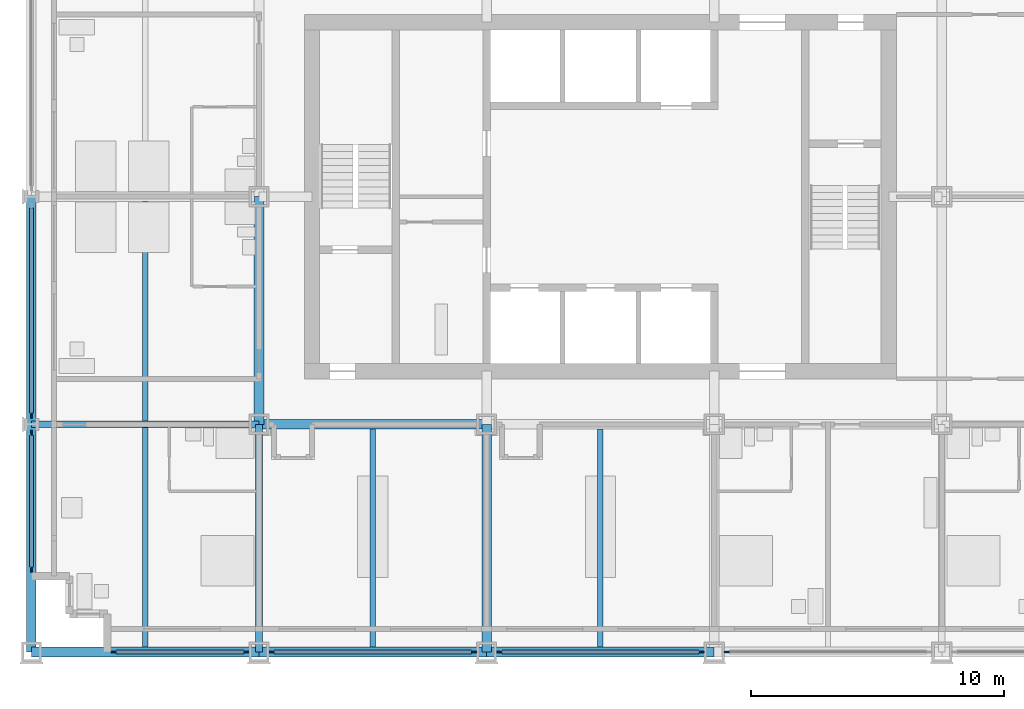
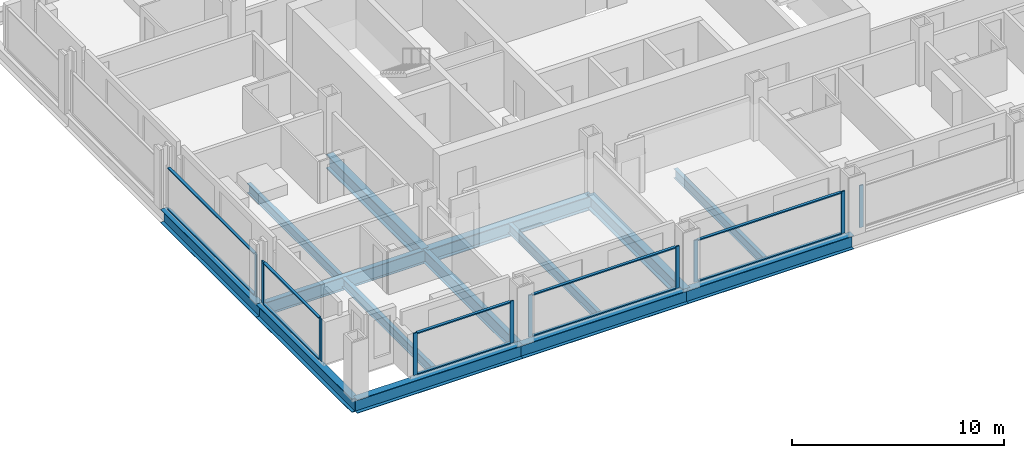
# One storey, part 2 of 18: 20 members, 14 beams, 6 elements without a shape of their own.
"""IFC4 building model written with IfcOpenShell, lengths in metres."""

from ifc_helpers import new_model, si_unit, direction, frame, origin, origin_2d, place, context, subcontext, project, spatial, rectangle, i_section, extrude, material, material_profile, profile_set, type_object, element, aggregate, save


model = new_model("IFC4")

# Units and contexts
model_context = context("Model", 3, precision=1e-05, world=origin(), true_north=direction((0.0, 1.0)))
body_context = subcontext(model_context, "Body", "Model", "MODEL_VIEW")
ifc_project = project(units=[si_unit("LENGTHUNIT", "METRE"), si_unit("AREAUNIT", "SQUARE_METRE"), si_unit("VOLUMEUNIT", "CUBIC_METRE"), si_unit("PLANEANGLEUNIT", "RADIAN"), si_unit("MASSUNIT", "GRAM", prefix="KILO")], contexts=[model_context])

# Site, building, storey
site_placement = place(None, origin())
site = spatial("IfcSite", under=ifc_project, at=site_placement, CompositionType="ELEMENT")
building_placement = place(site_placement, origin())
building = spatial("IfcBuilding", under=site, at=building_placement, Name="Loomwork Tower", CompositionType="ELEMENT")
storey_placement = place(building_placement, frame((0.0, 0.0, 28.0)))
storey = spatial("IfcBuildingStorey", under=building, at=storey_placement, Name="L05", CompositionType="ELEMENT", Elevation=28.0)

# Beams
ifc_material_1 = material(Name="Steel ASTM A992", Category="steel")
ifc_material_profile_1 = material_profile(ifc_material_1, i_section(OverallWidth=0.383544921875, OverallDepth=0.794921875, WebThickness=0.02099609375, FlangeThickness=0.0380859375, at=origin_2d()), Name="W30x235")
ifc_profile_set_1 = profile_set([ifc_material_profile_1], Name="Steel ASTM A992")
beam_type_1 = type_object("IfcBeamType", Name="CORE FLANK GIRDER W30x235", PredefinedType="BEAM", material=ifc_profile_set_1)
for number, where, z_axis, x_axis, name in (
    (1, (9.0, 9.0, -0.597412109375), (1.0, 0.0, 0.0), (0.0, 1.0, 0.0), "Core Flank Girder E/3-E/4 L05"),
    (2, (9.0, 9.0, -0.597412109375), (0.0, 1.0, 0.0), (-1.0, 0.0, 0.0), "Core Flank Girder E/3-F/3 L05"),
    (3, (18.0, 0.0, -0.597412109375), (0.0, 1.0, 0.0), (-1.0, 0.0, 0.0), "Core Flank Girder D/4-E/4 L05"),
):
    element("IfcBeam", number, at=place(storey_placement, frame(where, z_axis=z_axis, x_axis=x_axis)), inside=storey, type_object=beam_type_1, Name=name, PredefinedType="BEAM", context=body_context, shape_type="SweptSolid", body=[
        extrude(i_section(OverallWidth=0.383544921875, OverallDepth=0.794921875, WebThickness=0.02099609375, FlangeThickness=0.0380859375, at=origin_2d()), origin(), (0.0, 0.0, 1.0), 9.0),
    ])
ifc_material_2 = material(Name="Steel ASTM A992", Category="steel")
ifc_material_profile_2 = material_profile(ifc_material_2, i_section(OverallWidth=0.2666015625, OverallDepth=0.761962890625, WebThickness=0.014404296875, FlangeThickness=0.021484375, at=origin_2d()), Name="W30x116")
ifc_profile_set_2 = profile_set([ifc_material_profile_2], Name="Steel ASTM A992")
beam_type_2 = type_object("IfcBeamType", Name="FLOOR GIRDER W30x116", PredefinedType="BEAM", material=ifc_profile_set_2)
for number, where, z_axis, x_axis, name in (
    (4, (0.0, 9.0, -0.5810546875), (1.0, 0.0, 0.0), (0.0, 1.0, 0.0), "Floor Girder E/2-E/3 L05"),
    (5, (9.0, 0.0, -0.5810546875), (0.0, 1.0, 0.0), (-1.0, 0.0, 0.0), "Floor Girder D/3-E/3 L05"),
):
    element("IfcBeam", number, at=place(storey_placement, frame(where, z_axis=z_axis, x_axis=x_axis)), inside=storey, type_object=beam_type_2, Name=name, PredefinedType="BEAM", context=body_context, shape_type="SweptSolid", body=[
        extrude(i_section(OverallWidth=0.2666015625, OverallDepth=0.761962890625, WebThickness=0.014404296875, FlangeThickness=0.021484375, at=origin_2d()), origin(), (0.0, 0.0, 1.0), 9.0),
    ])
ifc_material_3 = material(Name="Steel ASTM A992", Category="steel")
ifc_material_profile_3 = material_profile(ifc_material_3, i_section(OverallWidth=0.21240234375, OverallDepth=0.54345703125, WebThickness=0.01318359375, FlangeThickness=0.021240234375, at=origin_2d()), Name="W21x83")
ifc_profile_set_3 = profile_set([ifc_material_profile_3], Name="Steel ASTM A992")
beam_type_3 = type_object("IfcBeamType", Name="FLOOR JOIST W21x83", PredefinedType="JOIST", material=ifc_profile_set_3)
beam_1_placement = place(storey_placement, frame((4.5, 0.18994140625, -0.4716796875), z_axis=(0.0, 1.0, 0.0), x_axis=(-1.0, 0.0, 0.0)))
element("IfcBeam", 6, at=beam_1_placement, inside=storey, type_object=beam_type_3, Name="Floor Joist 4.500,0.000-4.500,9.000 L05", PredefinedType="JOIST", context=body_context, shape_type="SweptSolid", body=[
    extrude(i_section(OverallWidth=0.21240234375, OverallDepth=0.54345703125, WebThickness=0.01318359375, FlangeThickness=0.021240234375, at=origin_2d()), origin(), (0.0, 0.0, 1.0), 8.677001953125),
])
beam_2_placement = place(storey_placement, frame((4.5, 9.133056640625, -0.4716796875), z_axis=(0.0, 1.0, 0.0), x_axis=(-1.0, 0.0, 0.0)))
element("IfcBeam", 7, at=beam_2_placement, inside=storey, type_object=beam_type_3, Name="Floor Joist 4.500,9.000-4.500,18.000 L05", PredefinedType="JOIST", context=body_context, shape_type="SweptSolid", body=[
    extrude(i_section(OverallWidth=0.21240234375, OverallDepth=0.54345703125, WebThickness=0.01318359375, FlangeThickness=0.021240234375, at=origin_2d()), origin(), (0.0, 0.0, 1.0), 8.676025390625),
])
for number, where, z_axis, x_axis, name in (
    (8, (13.5, 0.18994140625, -0.4716796875), (0.0, 1.0, 0.0), (-1.0, 0.0, 0.0), "Floor Joist 13.500,0.000-13.500,9.000 L05"),
    (9, (22.5, 0.18994140625, -0.4716796875), (0.0, 1.0, 0.0), (-1.0, 0.0, 0.0), "Floor Joist 22.500,0.000-22.500,9.000 L05"),
):
    element("IfcBeam", number, at=place(storey_placement, frame(where, z_axis=z_axis, x_axis=x_axis)), inside=storey, type_object=beam_type_3, Name=name, PredefinedType="JOIST", context=body_context, shape_type="SweptSolid", body=[
        extrude(i_section(OverallWidth=0.21240234375, OverallDepth=0.54345703125, WebThickness=0.01318359375, FlangeThickness=0.021240234375, at=origin_2d()), origin(), (0.0, 0.0, 1.0), 8.619140625),
    ])

# Curtain wall, members
ifc_material_4 = material(Name="Aluminium curtain wall frame", Category="aluminium")
curtain_wall_type = type_object("IfcCurtainWallType", Name="Outer skin glazing hotel", PredefinedType="NOTDEFINED", material=ifc_material_4)
curtain_wall_1_placement = place(storey_placement, origin())
curtain_wall_1 = element("IfcCurtainWall", 10, at=curtain_wall_1_placement, inside=storey, type_object=curtain_wall_type, Name="Outer skin glazing hotel cw/S-0", PredefinedType="NOTDEFINED")
ifc_material_5 = material(Name="Aluminium curtain wall frame", Category="aluminium")
ifc_material_profile_4 = material_profile(ifc_material_5, rectangle(XDim=0.06494140625, YDim=0.199951171875, at=origin_2d()), Name="AL 65x200")
ifc_profile_set_4 = profile_set([ifc_material_profile_4], Name="Aluminium curtain wall frame")
member_type_1 = type_object("IfcMemberType", Name="Outer skin glazing hotel mullion", PredefinedType="MULLION", material=ifc_profile_set_4)
member_1_placement = place(storey_placement, frame((3.25, 0.0, 0.0), z_axis=(0.0, 0.0, 1.0), x_axis=(0.0, 1.0, 0.0)))
member_1 = element("IfcMember", 11, at=member_1_placement, type_object=member_type_1, Name="CW1 mullion 1", PredefinedType="MULLION", context=body_context, shape_type="SweptSolid", body=[
    extrude(rectangle(XDim=0.06494140625, YDim=0.199951171875, at=origin_2d()), origin(), (0.0, 0.0, 1.0), 2.420166015625),
])
member_2_placement = place(storey_placement, frame((8.5, 0.0, 0.0), z_axis=(0.0, 0.0, 1.0), x_axis=(0.0, 1.0, 0.0)))
member_2 = element("IfcMember", 12, at=member_2_placement, type_object=member_type_1, Name="CW1 mullion 2", PredefinedType="MULLION", context=body_context, shape_type="SweptSolid", body=[
    extrude(rectangle(XDim=0.06494140625, YDim=0.199951171875, at=origin_2d()), origin(), (0.0, 0.0, 1.0), 2.420166015625),
])

curtain_wall_2_placement = place(storey_placement, origin())
curtain_wall_2 = element("IfcCurtainWall", 13, at=curtain_wall_2_placement, inside=storey, type_object=curtain_wall_type, Name="Outer skin glazing hotel cw/S-9", PredefinedType="NOTDEFINED")
member_3_placement = place(storey_placement, frame((9.5, 0.0, 0.0), z_axis=(0.0, 0.0, 1.0), x_axis=(0.0, 1.0, 0.0)))
member_3 = element("IfcMember", 14, at=member_3_placement, type_object=member_type_1, Name="CW1 mullion 1", PredefinedType="MULLION", context=body_context, shape_type="SweptSolid", body=[
    extrude(rectangle(XDim=0.06494140625, YDim=0.199951171875, at=origin_2d()), origin(), (0.0, 0.0, 1.0), 2.420166015625),
])
member_4_placement = place(storey_placement, frame((17.5, 0.0, 0.0), z_axis=(0.0, 0.0, 1.0), x_axis=(0.0, 1.0, 0.0)))
member_4 = element("IfcMember", 15, at=member_4_placement, type_object=member_type_1, Name="CW1 mullion 2", PredefinedType="MULLION", context=body_context, shape_type="SweptSolid", body=[
    extrude(rectangle(XDim=0.06494140625, YDim=0.199951171875, at=origin_2d()), origin(), (0.0, 0.0, 1.0), 2.420166015625),
])

curtain_wall_3_placement = place(storey_placement, origin())
curtain_wall_3 = element("IfcCurtainWall", 16, at=curtain_wall_3_placement, inside=storey, type_object=curtain_wall_type, Name="Outer skin glazing hotel cw/S-18", PredefinedType="NOTDEFINED")
member_5_placement = place(storey_placement, frame((18.5, 0.0, 0.0), z_axis=(0.0, 0.0, 1.0), x_axis=(0.0, 1.0, 0.0)))
member_5 = element("IfcMember", 17, at=member_5_placement, type_object=member_type_1, Name="CW1 mullion 1", PredefinedType="MULLION", context=body_context, shape_type="SweptSolid", body=[
    extrude(rectangle(XDim=0.06494140625, YDim=0.199951171875, at=origin_2d()), origin(), (0.0, 0.0, 1.0), 2.420166015625),
])
member_6_placement = place(storey_placement, frame((26.5, 0.0, 0.0), z_axis=(0.0, 0.0, 1.0), x_axis=(0.0, 1.0, 0.0)))
member_6 = element("IfcMember", 18, at=member_6_placement, type_object=member_type_1, Name="CW1 mullion 2", PredefinedType="MULLION", context=body_context, shape_type="SweptSolid", body=[
    extrude(rectangle(XDim=0.06494140625, YDim=0.199951171875, at=origin_2d()), origin(), (0.0, 0.0, 1.0), 2.420166015625),
])

# Curtain wall, member
curtain_wall_4_placement = place(storey_placement, origin())
curtain_wall_4 = element("IfcCurtainWall", 19, at=curtain_wall_4_placement, inside=storey, type_object=curtain_wall_type, Name="Outer skin glazing hotel cw/S-27", PredefinedType="NOTDEFINED")
member_7_placement = place(storey_placement, frame((27.5, 0.0, 0.0), z_axis=(0.0, 0.0, 1.0), x_axis=(0.0, 1.0, 0.0)))
member_7 = element("IfcMember", 20, at=member_7_placement, type_object=member_type_1, Name="CW1 mullion 1", PredefinedType="MULLION", context=body_context, shape_type="SweptSolid", body=[
    extrude(rectangle(XDim=0.06494140625, YDim=0.199951171875, at=origin_2d()), origin(), (0.0, 0.0, 1.0), 2.420166015625),
])
aggregate(curtain_wall_4, [member_7])

# Curtain wall, members
curtain_wall_5_placement = place(storey_placement, origin())
curtain_wall_5 = element("IfcCurtainWall", 21, at=curtain_wall_5_placement, inside=storey, type_object=curtain_wall_type, Name="Outer skin glazing hotel cw/W-0", PredefinedType="NOTDEFINED")
member_8_placement = place(storey_placement, frame((0.0, 8.6611328125, 0.0), z_axis=(0.0, 0.0, 1.0), x_axis=(1.0, 0.0, 0.0)))
member_8 = element("IfcMember", 22, at=member_8_placement, type_object=member_type_1, Name="CW1 mullion 1", PredefinedType="MULLION", context=body_context, shape_type="SweptSolid", body=[
    extrude(rectangle(XDim=0.06494140625, YDim=0.199951171875, at=origin_2d()), origin(), (0.0, 0.0, 1.0), 2.420166015625),
])
member_9_placement = place(storey_placement, frame((0.0, 3.25, 0.0), z_axis=(0.0, 0.0, 1.0), x_axis=(1.0, 0.0, 0.0)))
member_9 = element("IfcMember", 23, at=member_9_placement, type_object=member_type_1, Name="CW1 mullion 2", PredefinedType="MULLION", context=body_context, shape_type="SweptSolid", body=[
    extrude(rectangle(XDim=0.06494140625, YDim=0.199951171875, at=origin_2d()), origin(), (0.0, 0.0, 1.0), 2.420166015625),
])

# Curtain wall, member
curtain_wall_6_placement = place(storey_placement, origin())
curtain_wall_6 = element("IfcCurtainWall", 24, at=curtain_wall_6_placement, inside=storey, type_object=curtain_wall_type, Name="Outer skin glazing hotel cw/W-9", PredefinedType="NOTDEFINED")
member_10_placement = place(storey_placement, frame((0.0, 9.3388671875, 0.0), z_axis=(0.0, 0.0, 1.0), x_axis=(1.0, 0.0, 0.0)))
member_10 = element("IfcMember", 25, at=member_10_placement, type_object=member_type_1, Name="CW1 mullion 2", PredefinedType="MULLION", context=body_context, shape_type="SweptSolid", body=[
    extrude(rectangle(XDim=0.06494140625, YDim=0.199951171875, at=origin_2d()), origin(), (0.0, 0.0, 1.0), 2.420166015625),
])

# Member
ifc_material_6 = material(Name="Aluminium curtain wall frame", Category="aluminium")
ifc_material_profile_5 = material_profile(ifc_material_6, rectangle(XDim=0.14990234375, YDim=0.06494140625, at=origin_2d()), Name="AL 65x150")
ifc_profile_set_5 = profile_set([ifc_material_profile_5], Name="Aluminium curtain wall frame")
member_type_2 = type_object("IfcMemberType", Name="Outer skin glazing hotel transom", PredefinedType="USERDEFINED", material=ifc_profile_set_5)
member_11_placement = place(storey_placement, frame((3.35009765625, 0.0, 0.032470703125), z_axis=(1.0, 0.0, 0.0), x_axis=(0.0, 1.0, 0.0)))
member_11 = element("IfcMember", 26, at=member_11_placement, type_object=member_type_2, Name="CW1 transom 1.1", ObjectType="TRANSOM", PredefinedType="USERDEFINED", context=body_context, shape_type="SweptSolid", body=[
    extrude(rectangle(XDim=0.14990234375, YDim=0.06494140625, at=origin_2d()), origin(), (0.0, 0.0, 1.0), 5.0498046875),
])

member_12_placement = place(storey_placement, frame((3.35009765625, 0.0, 2.3876953125), z_axis=(1.0, 0.0, 0.0), x_axis=(0.0, 1.0, 0.0)))
member_12 = element("IfcMember", 27, at=member_12_placement, type_object=member_type_2, Name="CW1 transom 1.2", ObjectType="TRANSOM", PredefinedType="USERDEFINED", context=body_context, shape_type="SweptSolid", body=[
    extrude(rectangle(XDim=0.14990234375, YDim=0.06494140625, at=origin_2d()), origin(), (0.0, 0.0, 1.0), 5.0498046875),
])

aggregate(curtain_wall_1, [member_1, member_2, member_11, member_12])

member_13_placement = place(storey_placement, frame((9.60009765625, 0.0, 0.032470703125), z_axis=(1.0, 0.0, 0.0), x_axis=(0.0, 1.0, 0.0)))
member_13 = element("IfcMember", 28, at=member_13_placement, type_object=member_type_2, Name="CW1 transom 1.1", ObjectType="TRANSOM", PredefinedType="USERDEFINED", context=body_context, shape_type="SweptSolid", body=[
    extrude(rectangle(XDim=0.14990234375, YDim=0.06494140625, at=origin_2d()), origin(), (0.0, 0.0, 1.0), 7.7998046875),
])

member_14_placement = place(storey_placement, frame((9.60009765625, 0.0, 2.3876953125), z_axis=(1.0, 0.0, 0.0), x_axis=(0.0, 1.0, 0.0)))
member_14 = element("IfcMember", 29, at=member_14_placement, type_object=member_type_2, Name="CW1 transom 1.2", ObjectType="TRANSOM", PredefinedType="USERDEFINED", context=body_context, shape_type="SweptSolid", body=[
    extrude(rectangle(XDim=0.14990234375, YDim=0.06494140625, at=origin_2d()), origin(), (0.0, 0.0, 1.0), 7.7998046875),
])

aggregate(curtain_wall_2, [member_3, member_4, member_13, member_14])

member_15_placement = place(storey_placement, frame((18.60009765625, 0.0, 0.032470703125), z_axis=(1.0, 0.0, 0.0), x_axis=(0.0, 1.0, 0.0)))
member_15 = element("IfcMember", 30, at=member_15_placement, type_object=member_type_2, Name="CW1 transom 1.1", ObjectType="TRANSOM", PredefinedType="USERDEFINED", context=body_context, shape_type="SweptSolid", body=[
    extrude(rectangle(XDim=0.14990234375, YDim=0.06494140625, at=origin_2d()), origin(), (0.0, 0.0, 1.0), 7.7998046875),
])

member_16_placement = place(storey_placement, frame((18.60009765625, 0.0, 2.3876953125), z_axis=(1.0, 0.0, 0.0), x_axis=(0.0, 1.0, 0.0)))
member_16 = element("IfcMember", 31, at=member_16_placement, type_object=member_type_2, Name="CW1 transom 1.2", ObjectType="TRANSOM", PredefinedType="USERDEFINED", context=body_context, shape_type="SweptSolid", body=[
    extrude(rectangle(XDim=0.14990234375, YDim=0.06494140625, at=origin_2d()), origin(), (0.0, 0.0, 1.0), 7.7998046875),
])

aggregate(curtain_wall_3, [member_5, member_6, member_15, member_16])

member_17_placement = place(storey_placement, frame((0.0, 8.561279296875, 0.032470703125), z_axis=(0.0, -1.0, 0.0), x_axis=(1.0, 0.0, 0.0)))
member_17 = element("IfcMember", 32, at=member_17_placement, type_object=member_type_2, Name="CW1 transom 1.1", ObjectType="TRANSOM", PredefinedType="USERDEFINED", context=body_context, shape_type="SweptSolid", body=[
    extrude(rectangle(XDim=0.14990234375, YDim=0.06494140625, at=origin_2d()), origin(), (0.0, 0.0, 1.0), 5.211181640625),
])

member_18_placement = place(storey_placement, frame((0.0, 8.561279296875, 2.3876953125), z_axis=(0.0, -1.0, 0.0), x_axis=(1.0, 0.0, 0.0)))
member_18 = element("IfcMember", 33, at=member_18_placement, type_object=member_type_2, Name="CW1 transom 1.2", ObjectType="TRANSOM", PredefinedType="USERDEFINED", context=body_context, shape_type="SweptSolid", body=[
    extrude(rectangle(XDim=0.14990234375, YDim=0.06494140625, at=origin_2d()), origin(), (0.0, 0.0, 1.0), 5.211181640625),
])

aggregate(curtain_wall_5, [member_8, member_9, member_17, member_18])

member_19_placement = place(storey_placement, frame((0.0, 17.561279296875, 0.032470703125), z_axis=(0.0, -1.0, 0.0), x_axis=(1.0, 0.0, 0.0)))
member_19 = element("IfcMember", 34, at=member_19_placement, type_object=member_type_2, Name="CW1 transom 1.1", ObjectType="TRANSOM", PredefinedType="USERDEFINED", context=body_context, shape_type="SweptSolid", body=[
    extrude(rectangle(XDim=0.14990234375, YDim=0.06494140625, at=origin_2d()), origin(), (0.0, 0.0, 1.0), 8.12255859375),
])

member_20_placement = place(storey_placement, frame((0.0, 17.561279296875, 2.3876953125), z_axis=(0.0, -1.0, 0.0), x_axis=(1.0, 0.0, 0.0)))
member_20 = element("IfcMember", 35, at=member_20_placement, type_object=member_type_2, Name="CW1 transom 1.2", ObjectType="TRANSOM", PredefinedType="USERDEFINED", context=body_context, shape_type="SweptSolid", body=[
    extrude(rectangle(XDim=0.14990234375, YDim=0.06494140625, at=origin_2d()), origin(), (0.0, 0.0, 1.0), 8.12255859375),
])

aggregate(curtain_wall_6, [member_10, member_19, member_20])

# Beams
ifc_material_7 = material(Name="Steel ASTM A992", Category="steel")
ifc_material_profile_6 = material_profile(ifc_material_7, i_section(OverallWidth=0.381103515625, OverallDepth=0.77978515625, WebThickness=0.01806640625, FlangeThickness=0.0302734375, at=origin_2d()), Name="W30x191")
ifc_profile_set_6 = profile_set([ifc_material_profile_6], Name="Steel ASTM A992")
beam_type_4 = type_object("IfcBeamType", Name="SPANDREL GIRDER W30x191", PredefinedType="SPANDREL", material=ifc_profile_set_6)
for number, where, z_axis, x_axis, name in (
    (36, (0.0, 0.0, -0.58984375), (1.0, 0.0, 0.0), (0.0, 1.0, 0.0), "Spandrel Girder D/2-D/3 L05"),
    (37, (9.0, 0.0, -0.58984375), (1.0, 0.0, 0.0), (0.0, 1.0, 0.0), "Spandrel Girder D/3-D/4 L05"),
    (38, (18.0, 0.0, -0.58984375), (1.0, 0.0, 0.0), (0.0, 1.0, 0.0), "Spandrel Girder D/4-D/5 L05"),
    (39, (0.0, 0.0, -0.58984375), (0.0, 1.0, 0.0), (-1.0, 0.0, 0.0), "Spandrel Girder D/2-E/2 L05"),
    (40, (0.0, 9.0, -0.58984375), (0.0, 1.0, 0.0), (-1.0, 0.0, 0.0), "Spandrel Girder E/2-F/2 L05"),
):
    element("IfcBeam", number, at=place(storey_placement, frame(where, z_axis=z_axis, x_axis=x_axis)), inside=storey, type_object=beam_type_4, Name=name, PredefinedType="SPANDREL", context=body_context, shape_type="SweptSolid", body=[
        extrude(i_section(OverallWidth=0.381103515625, OverallDepth=0.77978515625, WebThickness=0.01806640625, FlangeThickness=0.0302734375, at=origin_2d()), origin(), (0.0, 0.0, 1.0), 9.0),
    ])

save(model, "model.ifc")
